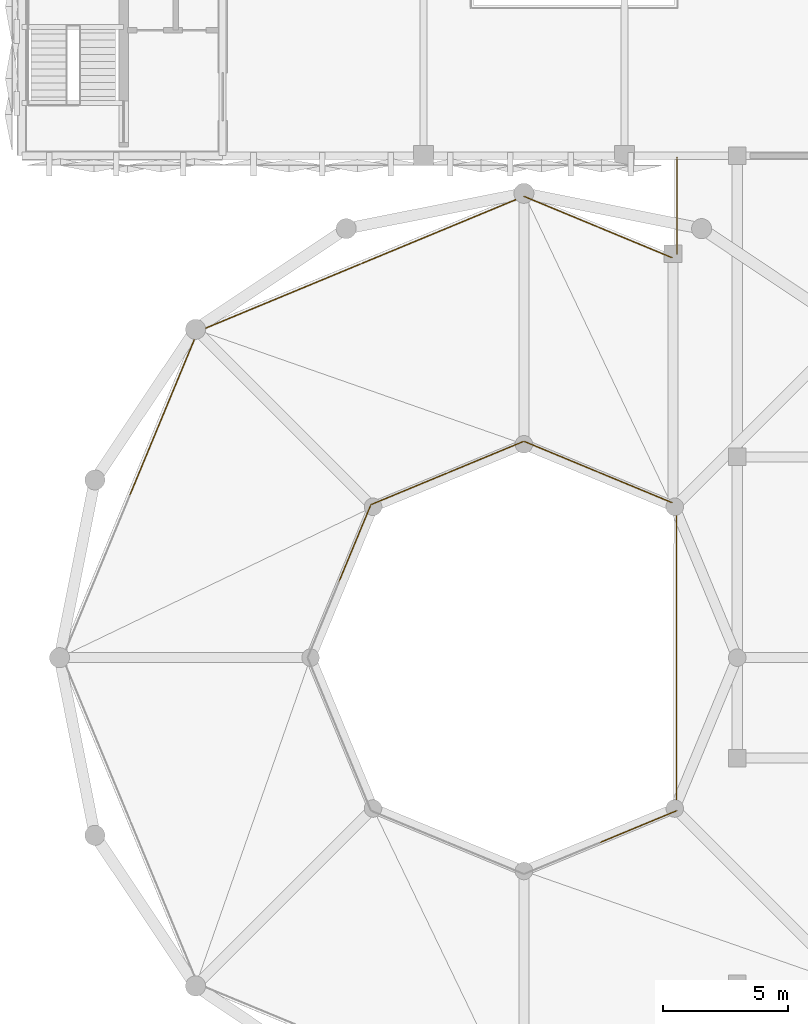
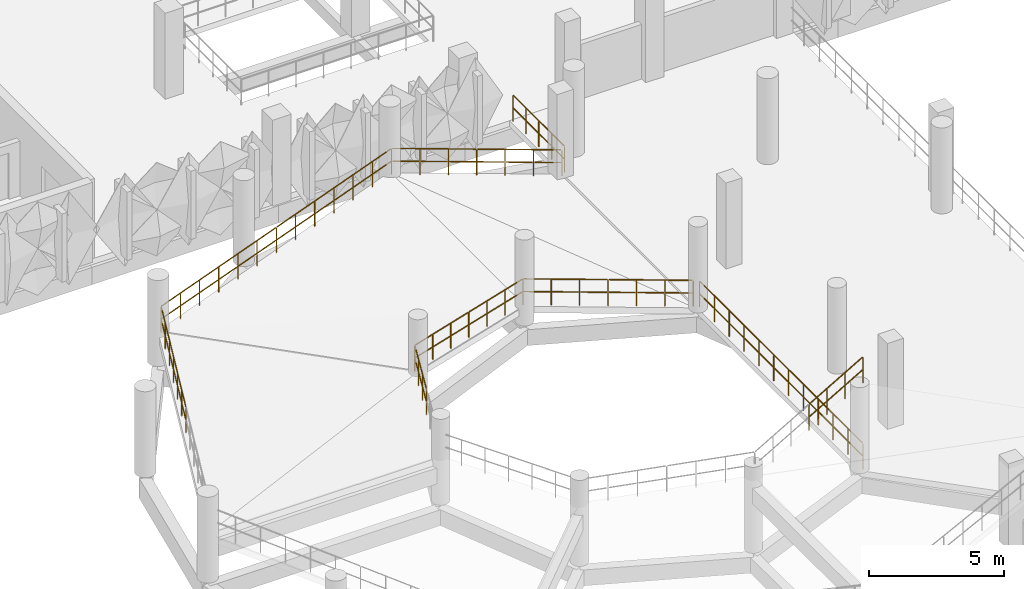
# One storey, part 83 of 96: 13 railings.
"""IFC4 building model written with IfcOpenShell, lengths in metres."""

import ifcopenshell
import ifcopenshell.guid

model = None  # the IFC model being written
_history = None  # IfcOwnerHistory: only IFC2X3 demands one
_inside = {}  # id of a spatial element -> (the spatial element, [elements in it])
_under = {}  # id of a project, library or spatial element -> (it, [spatial elements below it])
_declared = {}  # id of a project -> (the project, [libraries it declares])
_typed = {}  # id of a type object -> (the type object, [elements of that type])
_made_of = {}  # id of a material, layer set ... -> (it, [elements and type objects made of it])


def new_model(schema):
    """Start an empty IFC model of exactly this schema.

    Asked for "IFC4X3", IfcOpenShell would pick the latest addendum, in which some entities
    have other attributes; the version numbers below select the first issue.
    IFC2X3 requires an IfcOwnerHistory on every rooted entity: one is made here for all.
    """
    global model, _history
    if schema == "IFC4X3":
        model = ifcopenshell.file(schema_version=(4, 3, 0, 0))
    else:
        model = ifcopenshell.file(schema=schema)
    _inside.clear()
    _under.clear()
    _declared.clear()
    _typed.clear()
    _made_of.clear()
    _history = None
    if model.schema == "IFC2X3":
        org = make("IfcOrganization", Name="unknown")
        user = make(
            "IfcPersonAndOrganization",
            ThePerson=make("IfcPerson", FamilyName="unknown"),
            TheOrganization=org,
        )
        app = make(
            "IfcApplication",
            ApplicationDeveloper=org,
            Version="unknown",
            ApplicationFullName="unknown",
            ApplicationIdentifier="unknown",
        )
        _history = make(
            "IfcOwnerHistory",
            OwningUser=user,
            OwningApplication=app,
            ChangeAction="ADDED",
            CreationDate=0,
        )
    return model


def make(cls, **values):
    """One entity of the class cls with the attributes given. An attribute that is None is left unset."""
    return model.create_entity(
        cls, **{name: value for name, value in values.items() if value is not None}
    )


def rooted(cls, **values):
    """An entity with a GlobalId (a new one), such as an element, a storey or a relation."""
    return make(cls, GlobalId=ifcopenshell.guid.new(), OwnerHistory=_history, **values)


def si_unit(unit_type, name, prefix=None):
    """IfcSIUnit, for example si_unit("LENGTHUNIT", "METRE", prefix="MILLI")."""
    return make("IfcSIUnit", UnitType=unit_type, Prefix=prefix, Name=name)


def derived_unit(unit_type, elements):
    """IfcDerivedUnit: a product of units, each with its exponent."""
    return make(
        "IfcDerivedUnit",
        Elements=[
            make("IfcDerivedUnitElement", Unit=unit, Exponent=power)
            for unit, power in elements
        ],
        UnitType=unit_type,
    )


def assignment(units):
    """IfcUnitAssignment: the units of a project."""
    return None if units is None else make("IfcUnitAssignment", Units=units)


def point(xyz):
    """IfcCartesianPoint."""
    return None if xyz is None else make("IfcCartesianPoint", Coordinates=xyz)


def direction(xyz):
    """IfcDirection."""
    return None if xyz is None else make("IfcDirection", DirectionRatios=xyz)


def frame(location, z_axis=None, x_axis=None):
    """IfcAxis2Placement3D, a coordinate frame: its origin and axes. An axis left out is left unset."""
    return make(
        "IfcAxis2Placement3D",
        Location=point(location),
        Axis=direction(z_axis),
        RefDirection=direction(x_axis),
    )


def frame_2d(location, x_axis=None):
    """IfcAxis2Placement2D, a coordinate frame in the plane: its origin and x axis."""
    return make(
        "IfcAxis2Placement2D", Location=point(location), RefDirection=direction(x_axis)
    )


def origin():
    """The frame at (0, 0, 0) with its axes left unset."""
    return frame((0.0, 0.0, 0.0))


def origin_2d():
    """The frame at (0, 0) in the plane with its x axis left unset."""
    return frame_2d((0.0, 0.0))


def place(relative_to, where):
    """IfcLocalPlacement: puts the frame where relative to a parent placement (None: the world)."""
    return make(
        "IfcLocalPlacement", PlacementRelTo=relative_to, RelativePlacement=where
    )


def context(
    kind, dimensions, precision=None, world=None, true_north=None, identifier=None
):
    """IfcGeometricRepresentationContext, for example the 3D "Model" context."""
    return make(
        "IfcGeometricRepresentationContext",
        ContextIdentifier=identifier,
        ContextType=kind,
        CoordinateSpaceDimension=dimensions,
        Precision=precision,
        WorldCoordinateSystem=world,
        TrueNorth=true_north,
    )


def subcontext(parent, identifier, kind, view, scale=None):
    """IfcGeometricRepresentationSubContext, for example "Body" below "Model"."""
    return make(
        "IfcGeometricRepresentationSubContext",
        ContextIdentifier=identifier,
        ContextType=kind,
        ParentContext=parent,
        TargetScale=scale,
        TargetView=view,
    )


def project(units=None, contexts=None):
    """IfcProject with its units and contexts."""
    return rooted(
        "IfcProject",
        Name="project",
        RepresentationContexts=contexts,
        UnitsInContext=assignment(units),
    )


def spatial(cls, under=None, at=None, **own):
    """A site, building, storey or space (cls), placed at a placement, below another one or the project."""
    s = rooted(cls, ObjectPlacement=at, **own)
    if under is not None:
        _under.setdefault(under.id(), (under, []))[1].append(s)
    return s


def profile(cls, at=None, kind="AREA", **sizes):
    """A parametric profile (cls). Its sizes go by their IFC names, for example OverallWidth=200.0."""
    return make(cls, ProfileType=kind, Position=at, **sizes)


def circle(**sizes):
    """IfcCircleProfileDef."""
    return profile("IfcCircleProfileDef", **sizes)


def extrude(swept, where, along, depth):
    """IfcExtrudedAreaSolid: the profile swept, set in the frame where, extruded along a direction by depth."""
    return make(
        "IfcExtrudedAreaSolid",
        SweptArea=swept,
        Position=where,
        ExtrudedDirection=direction(along),
        Depth=depth,
    )


def shape(context_of_items, identifier, shape_type, items):
    """IfcShapeRepresentation: the items that make up one representation, for example the "Body"."""
    return make(
        "IfcShapeRepresentation",
        ContextOfItems=context_of_items,
        RepresentationIdentifier=identifier,
        RepresentationType=shape_type,
        Items=items,
    )


def material(Name=None, Category=None):
    """IfcMaterial."""
    return make("IfcMaterial", Name=Name, Category=Category)


def made_of(thing, what):
    """Note that an element or type object is made of a material, layer set ...; save() writes the relation."""
    if what is not None:
        _made_of.setdefault(what.id(), (what, []))[1].append(thing)
    return thing


def type_object(cls, material=None, **own):
    """A type object (cls), such as IfcWallType, which elements share."""
    return made_of(rooted(cls, **own), material)


def element(
    cls,
    number,
    at=None,
    inside=None,
    cuts=None,
    type_object=None,
    material=None,
    context=None,
    identifier="Body",
    shape_type=None,
    held_by="IfcProductDefinitionShape",
    body=None,
    shapes=None,
    **own,
):
    """One element of the class cls, such as IfcWall. Its Tag is "e" and its number.

    at: its placement. inside: the storey or other place that contains it. cuts: it is an
    opening in that element (IfcRelVoidsElement). A single representation is given by context,
    identifier, shape_type and body (its items); several are given by shapes. held_by: the class
    of the entity that holds the representations. save() writes the other relations.
    """
    e = rooted(cls, Tag="e%d" % number, ObjectPlacement=at, **own)
    if body is not None:
        shapes = [shape(context, identifier, shape_type, body)]
    if shapes is not None:
        e.Representation = make(held_by, Representations=shapes)
    if inside is not None:
        _inside.setdefault(inside.id(), (inside, []))[1].append(e)
    if cuts is not None:
        rooted(
            "IfcRelVoidsElement", RelatingBuildingElement=cuts, RelatedOpeningElement=e
        )
    if type_object is not None:
        _typed.setdefault(type_object.id(), (type_object, []))[1].append(e)
    return made_of(e, material)


def aggregate(whole, parts):
    """IfcRelAggregates: a whole, such as a stair, and the parts it consists of."""
    return rooted("IfcRelAggregates", RelatingObject=whole, RelatedObjects=parts)


def save(model, path):
    """Write the relations noted so far, then the file.

    IfcRelAggregates (storeys below a building ...), IfcRelContainedInSpatialStructure (elements
    in a storey), IfcRelDefinesByType, IfcRelAssociatesMaterial and IfcRelDeclares: one each for
    every whole, place, type object, material and project.
    """
    for whole, parts in _under.values():
        aggregate(whole, parts)
    for where, things in _inside.values():
        rooted(
            "IfcRelContainedInSpatialStructure",
            RelatedElements=things,
            RelatingStructure=where,
        )
    for kind, things in _typed.values():
        rooted("IfcRelDefinesByType", RelatedObjects=things, RelatingType=kind)
    for what, things in _made_of.values():
        rooted("IfcRelAssociatesMaterial", RelatedObjects=things, RelatingMaterial=what)
    for by, libraries in _declared.values():
        rooted("IfcRelDeclares", RelatingContext=by, RelatedDefinitions=libraries)
    model.write(path)


model = new_model("IFC4")

# Units and contexts
model_context = context("Model", 3, precision=1e-05, world=origin(), true_north=direction((0.0, 1.0)))
body_context = subcontext(model_context, "Body", "Model", "MODEL_VIEW")
ifc_project = project(units=[si_unit("LENGTHUNIT", "METRE"), si_unit("AREAUNIT", "SQUARE_METRE"), si_unit("VOLUMEUNIT", "CUBIC_METRE"), si_unit("PLANEANGLEUNIT", "RADIAN"), si_unit("MASSUNIT", "GRAM", prefix="KILO"), si_unit("THERMODYNAMICTEMPERATUREUNIT", "KELVIN"), derived_unit("THERMALTRANSMITTANCEUNIT", [(si_unit("POWERUNIT", "WATT"), 1), (si_unit("AREAUNIT", "SQUARE_METRE"), -1), (si_unit("THERMODYNAMICTEMPERATUREUNIT", "KELVIN"), -1)])], contexts=[model_context])

# Site, building, storey
site_placement = place(None, origin())
site = spatial("IfcSite", under=ifc_project, at=site_placement, CompositionType="ELEMENT")
building_placement = place(site_placement, origin())
building = spatial("IfcBuilding", under=site, at=building_placement, Name="Haiyu Intermodal Mobility Hub", CompositionType="ELEMENT")
storey_placement = place(building_placement, frame((0.0, 0.0, 9.5)))
storey = spatial("IfcBuildingStorey", under=building, at=storey_placement, Name="L02", CompositionType="ELEMENT", Elevation=9.5)

# Railings
ifc_material = material(Name="Steel Q355C", Category="steel")
railing_type = type_object("IfcRailingType", Name="RAL-GR01", PredefinedType="GUARDRAIL", material=ifc_material)
railing_1_placement = place(storey_placement, frame((40.080078125, 53.8798828125, 0.0)))
element("IfcRailing", 1, at=railing_1_placement, inside=storey, type_object=railing_type, Name="L02 Ramp Arrival Deck Inner Drum Guard", PredefinedType="GUARDRAIL", context=body_context, shape_type="SweptSolid", body=[
    extrude(circle(Radius=0.02392578125, at=origin_2d()), frame((0.0, 0.030029296875, 1.17578125), z_axis=(0.0, 1.0, 0.0), x_axis=(-1.0, 0.0, 0.0)), (0.0, 0.0, 1.0), 12.080078125),
    extrude(circle(Radius=0.02392578125, at=origin_2d()), frame((0.0, 0.037353515625, 0.60009765625), z_axis=(0.0, 1.0, 0.0), x_axis=(-1.0, 0.0, 0.0)), (0.0, 0.0, 1.0), 1.029052734375),
    extrude(circle(Radius=0.02392578125, at=origin_2d()), frame((0.0, 1.140869140625, 0.60009765625), z_axis=(0.0, 1.0, 0.0), x_axis=(-1.0, 0.0, 0.0)), (0.0, 0.0, 1.0), 1.029052734375),
    extrude(circle(Radius=0.02392578125, at=origin_2d()), frame((0.0, 2.24462890625, 0.60009765625), z_axis=(0.0, 1.0, 0.0), x_axis=(-1.0, 0.0, 0.0)), (0.0, 0.0, 1.0), 1.029052734375),
    extrude(circle(Radius=0.02392578125, at=origin_2d()), frame((0.0, 3.34814453125, 0.60009765625), z_axis=(0.0, 1.0, 0.0), x_axis=(-1.0, 0.0, 0.0)), (0.0, 0.0, 1.0), 1.029052734375),
    extrude(circle(Radius=0.02392578125, at=origin_2d()), frame((0.0, 4.451904296875, 0.60009765625), z_axis=(0.0, 1.0, 0.0), x_axis=(-1.0, 0.0, 0.0)), (0.0, 0.0, 1.0), 1.029052734375),
    extrude(circle(Radius=0.02392578125, at=origin_2d()), frame((0.0, 5.555419921875, 0.60009765625), z_axis=(0.0, 1.0, 0.0), x_axis=(-1.0, 0.0, 0.0)), (0.0, 0.0, 1.0), 1.029052734375),
    extrude(circle(Radius=0.02392578125, at=origin_2d()), frame((0.0, 6.6591796875, 0.60009765625), z_axis=(0.0, 1.0, 0.0), x_axis=(-1.0, 0.0, 0.0)), (0.0, 0.0, 1.0), 1.029052734375),
    extrude(circle(Radius=0.02392578125, at=origin_2d()), frame((0.0, 7.762939453125, 0.60009765625), z_axis=(0.0, 1.0, 0.0), x_axis=(-1.0, 0.0, 0.0)), (0.0, 0.0, 1.0), 1.029052734375),
    extrude(circle(Radius=0.02392578125, at=origin_2d()), frame((0.0, 8.866455078125, 0.60009765625), z_axis=(0.0, 1.0, 0.0), x_axis=(-1.0, 0.0, 0.0)), (0.0, 0.0, 1.0), 1.029052734375),
    extrude(circle(Radius=0.02392578125, at=origin_2d()), frame((0.0, 9.97021484375, 0.60009765625), z_axis=(0.0, 1.0, 0.0), x_axis=(-1.0, 0.0, 0.0)), (0.0, 0.0, 1.0), 1.029052734375),
    extrude(circle(Radius=0.02392578125, at=origin_2d()), frame((0.0, 11.07373046875, 0.60009765625), z_axis=(0.0, 1.0, 0.0), x_axis=(-1.0, 0.0, 0.0)), (0.0, 0.0, 1.0), 1.029052734375),
    extrude(circle(Radius=0.02099609375, at=origin_2d()), origin(), (0.0, 0.0, 1.0), 1.143798828125),
    extrude(circle(Radius=0.02099609375, at=origin_2d()), frame((0.0, 1.103759765625, 0.0)), (0.0, 0.0, 1.0), 1.143798828125),
    extrude(circle(Radius=0.02099609375, at=origin_2d()), frame((0.0, 2.207275390625, 0.0)), (0.0, 0.0, 1.0), 1.143798828125),
    extrude(circle(Radius=0.02099609375, at=origin_2d()), frame((0.0, 3.31103515625, 0.0)), (0.0, 0.0, 1.0), 1.143798828125),
    extrude(circle(Radius=0.02099609375, at=origin_2d()), frame((0.0, 4.41455078125, 0.0)), (0.0, 0.0, 1.0), 1.143798828125),
    extrude(circle(Radius=0.02099609375, at=origin_2d()), frame((0.0, 5.518310546875, 0.0)), (0.0, 0.0, 1.0), 1.143798828125),
    extrude(circle(Radius=0.02099609375, at=origin_2d()), frame((0.0, 6.621826171875, 0.0)), (0.0, 0.0, 1.0), 1.143798828125),
    extrude(circle(Radius=0.02099609375, at=origin_2d()), frame((0.0, 7.7255859375, 0.0)), (0.0, 0.0, 1.0), 1.143798828125),
    extrude(circle(Radius=0.02099609375, at=origin_2d()), frame((0.0, 8.8291015625, 0.0)), (0.0, 0.0, 1.0), 1.143798828125),
    extrude(circle(Radius=0.02099609375, at=origin_2d()), frame((0.0, 9.932861328125, 0.0)), (0.0, 0.0, 1.0), 1.143798828125),
    extrude(circle(Radius=0.02099609375, at=origin_2d()), frame((0.0, 11.036376953125, 0.0)), (0.0, 0.0, 1.0), 1.143798828125),
    extrude(circle(Radius=0.02099609375, at=origin_2d()), frame((0.0, 12.14013671875, 0.0)), (0.0, 0.0, 1.0), 1.143798828125),
])
railing_2_placement = place(storey_placement, frame((40.10009765625, 76.080078125, 0.0)))
element("IfcRailing", 2, at=railing_2_placement, inside=storey, type_object=railing_type, Name="L02 Ramp Arrival Deck North-West Guard", PredefinedType="GUARDRAIL", context=body_context, shape_type="SweptSolid", body=[
    extrude(circle(Radius=0.02392578125, at=origin_2d()), frame((0.0, 0.030029296875, 1.17578125), z_axis=(0.0, 1.0, 0.0), x_axis=(-1.0, 0.0, 0.0)), (0.0, 0.0, 1.0), 3.77978515625),
    extrude(circle(Radius=0.02392578125, at=origin_2d()), frame((0.0, 0.037353515625, 0.60009765625), z_axis=(0.0, 1.0, 0.0), x_axis=(-1.0, 0.0, 0.0)), (0.0, 0.0, 1.0), 0.88525390625),
    extrude(circle(Radius=0.02392578125, at=origin_2d()), frame((0.0, 0.997314453125, 0.60009765625), z_axis=(0.0, 1.0, 0.0), x_axis=(-1.0, 0.0, 0.0)), (0.0, 0.0, 1.0), 0.88525390625),
    extrude(circle(Radius=0.02392578125, at=origin_2d()), frame((0.0, 1.957275390625, 0.60009765625), z_axis=(0.0, 1.0, 0.0), x_axis=(-1.0, 0.0, 0.0)), (0.0, 0.0, 1.0), 0.88525390625),
    extrude(circle(Radius=0.02392578125, at=origin_2d()), frame((0.0, 2.917236328125, 0.60009765625), z_axis=(0.0, 1.0, 0.0), x_axis=(-1.0, 0.0, 0.0)), (0.0, 0.0, 1.0), 0.88525390625),
    extrude(circle(Radius=0.02099609375, at=origin_2d()), origin(), (0.0, 0.0, 1.0), 1.143798828125),
    extrude(circle(Radius=0.02099609375, at=origin_2d()), frame((0.0, 0.9599609375, 0.0)), (0.0, 0.0, 1.0), 1.143798828125),
    extrude(circle(Radius=0.02099609375, at=origin_2d()), frame((0.0, 1.919921875, 0.0)), (0.0, 0.0, 1.0), 1.143798828125),
    extrude(circle(Radius=0.02099609375, at=origin_2d()), frame((0.0, 2.8798828125, 0.0)), (0.0, 0.0, 1.0), 1.143798828125),
    extrude(circle(Radius=0.02099609375, at=origin_2d()), frame((0.0, 3.83984375, 0.0)), (0.0, 0.0, 1.0), 1.143798828125),
])
for number, where, name in (
    (3, (39.89990234375, 75.93603515625, 0.0), "RAL-VRMP-O-L02-01A"),
    (4, (36.949951171875, 77.157958984375, 0.324951171875), "RAL-VRMP-O-L02-01B"),
    (5, (39.89990234375, 66.176025390625, 0.0), "RAL-VRMP-I-L02-01A"),
):
    element("IfcRailing", number, at=place(storey_placement, frame(where)), inside=storey, type_object=railing_type, Name=name, PredefinedType="GUARDRAIL", context=body_context, shape_type="SweptSolid", body=[
        extrude(circle(Radius=0.02392578125, at=origin_2d()), frame((-0.027587890625, 0.011474609375, 1.178955078125), z_axis=(-0.91913050102, 0.380720694993, 0.101246602405), x_axis=(-0.382687186701, -0.923877977405, 0.0)), (0.0, 0.0, 1.0), 3.1494140625),
        extrude(circle(Radius=0.02392578125, at=origin_2d()), frame((-0.0341796875, 0.01416015625, 0.603759765625), z_axis=(-0.91913050102, 0.380720694993, 0.101246602405), x_axis=(-0.382687186701, -0.923877977405, 0.0)), (0.0, 0.0, 1.0), 0.995361328125),
        extrude(circle(Radius=0.02392578125, at=origin_2d()), frame((-1.017578125, 0.42138671875, 0.712158203125), z_axis=(-0.91913050102, 0.380720694993, 0.101246602405), x_axis=(-0.382687186701, -0.923877977405, 0.0)), (0.0, 0.0, 1.0), 0.995361328125),
        extrude(circle(Radius=0.02392578125, at=origin_2d()), frame((-2.0009765625, 0.828857421875, 0.8203125), z_axis=(-0.91913050102, 0.380720694993, 0.101246602405), x_axis=(-0.382687186701, -0.923877977405, 0.0)), (0.0, 0.0, 1.0), 0.995361328125),
        extrude(circle(Radius=0.02099609375, at=origin_2d()), origin(), (0.0, 0.0, 1.0), 1.143798828125),
        extrude(circle(Radius=0.02099609375, at=origin_2d()), frame((-0.9833984375, 0.4072265625, 0.1083984375)), (0.0, 0.0, 1.0), 1.143798828125),
        extrude(circle(Radius=0.02099609375, at=origin_2d()), frame((-1.966552734375, 0.814697265625, 0.216552734375)), (0.0, 0.0, 1.0), 1.143798828125),
        extrude(circle(Radius=0.02099609375, at=origin_2d()), frame((-2.949951171875, 1.221923828125, 0.324951171875)), (0.0, 0.0, 1.0), 1.143798828125),
    ])
railing_3_placement = place(storey_placement, frame((36.949951171875, 67.39794921875, 0.324951171875)))
element("IfcRailing", 6, at=railing_3_placement, inside=storey, type_object=railing_type, Name="RAL-VRMP-I-L02-01B", PredefinedType="GUARDRAIL", context=body_context, shape_type="SweptSolid", body=[
    extrude(circle(Radius=0.02392578125, at=origin_2d()), frame((-0.027587890625, 0.011474609375, 1.178955078125), z_axis=(-0.919103880865, 0.380785734305, 0.101243670068), x_axis=(-0.382752447143, -0.923850942634, 0.0)), (0.0, 0.0, 1.0), 3.149658203125),
    extrude(circle(Radius=0.02392578125, at=origin_2d()), frame((-0.0341796875, 0.01416015625, 0.603759765625), z_axis=(-0.919103880865, 0.380785734305, 0.101243670068), x_axis=(-0.382752447143, -0.923850942634, 0.0)), (0.0, 0.0, 1.0), 0.995361328125),
    extrude(circle(Radius=0.02392578125, at=origin_2d()), frame((-1.017578125, 0.421630859375, 0.712158203125), z_axis=(-0.919103880865, 0.380785734305, 0.101243670068), x_axis=(-0.382752447143, -0.923850942634, 0.0)), (0.0, 0.0, 1.0), 0.995361328125),
    extrude(circle(Radius=0.02392578125, at=origin_2d()), frame((-2.0009765625, 0.8291015625, 0.8203125), z_axis=(-0.919103880865, 0.380785734305, 0.101243670068), x_axis=(-0.382752447143, -0.923850942634, 0.0)), (0.0, 0.0, 1.0), 0.995361328125),
    extrude(circle(Radius=0.02099609375, at=origin_2d()), origin(), (0.0, 0.0, 1.0), 1.143798828125),
    extrude(circle(Radius=0.02099609375, at=origin_2d()), frame((-0.9833984375, 0.407470703125, 0.1083984375)), (0.0, 0.0, 1.0), 1.143798828125),
    extrude(circle(Radius=0.02099609375, at=origin_2d()), frame((-1.966552734375, 0.814697265625, 0.216552734375)), (0.0, 0.0, 1.0), 1.143798828125),
    extrude(circle(Radius=0.02099609375, at=origin_2d()), frame((-2.949951171875, 1.22216796875, 0.324951171875)), (0.0, 0.0, 1.0), 1.143798828125),
])
railing_4_placement = place(storey_placement, frame((34.0, 78.3798828125, 0.64990234375)))
element("IfcRailing", 7, at=railing_4_placement, inside=storey, type_object=railing_type, Name="RAL-VRMP-O-L02-02A", PredefinedType="GUARDRAIL", context=body_context, shape_type="SweptSolid", body=[
    extrude(circle(Radius=0.02392578125, at=origin_2d()), frame((-0.027587890625, -0.011474609375, 1.17724609375), z_axis=(-0.922877805314, -0.382313295814, 0.046185498823), x_axis=(0.382721705618, -0.923863678282, 0.0)), (0.0, 0.0, 1.0), 6.98095703125),
    extrude(circle(Radius=0.02392578125, at=origin_2d()), frame((-0.034423828125, -0.01416015625, 0.601806640625), z_axis=(-0.922877805314, -0.382313295814, 0.046185498823), x_axis=(0.382721705618, -0.923863678282, 0.0)), (0.0, 0.0, 1.0), 1.098876953125),
    extrude(circle(Radius=0.02392578125, at=origin_2d()), frame((-1.117431640625, -0.462890625, 0.656005859375), z_axis=(-0.922877805314, -0.382313295814, 0.046185498823), x_axis=(0.382721705618, -0.923863678282, 0.0)), (0.0, 0.0, 1.0), 1.098876953125),
    extrude(circle(Radius=0.02392578125, at=origin_2d()), frame((-2.200439453125, -0.91162109375, 0.710205078125), z_axis=(-0.922877805314, -0.382313295814, 0.046185498823), x_axis=(0.382721705618, -0.923863678282, 0.0)), (0.0, 0.0, 1.0), 1.098876953125),
    extrude(circle(Radius=0.02392578125, at=origin_2d()), frame((-3.283447265625, -1.360107421875, 0.764404296875), z_axis=(-0.922877805314, -0.382313295814, 0.046185498823), x_axis=(0.382721705618, -0.923863678282, 0.0)), (0.0, 0.0, 1.0), 1.098876953125),
    extrude(circle(Radius=0.02392578125, at=origin_2d()), frame((-4.366455078125, -1.808837890625, 0.818603515625), z_axis=(-0.922877805314, -0.382313295814, 0.046185498823), x_axis=(0.382721705618, -0.923863678282, 0.0)), (0.0, 0.0, 1.0), 1.098876953125),
    extrude(circle(Radius=0.02392578125, at=origin_2d()), frame((-5.449462890625, -2.257568359375, 0.872802734375), z_axis=(-0.922877805314, -0.382313295814, 0.046185498823), x_axis=(0.382721705618, -0.923863678282, 0.0)), (0.0, 0.0, 1.0), 1.098876953125),
    extrude(circle(Radius=0.02099609375, at=origin_2d()), origin(), (0.0, 0.0, 1.0), 1.143798828125),
    extrude(circle(Radius=0.02099609375, at=origin_2d()), frame((-1.0830078125, -0.44873046875, 0.05419921875)), (0.0, 0.0, 1.0), 1.143798828125),
    extrude(circle(Radius=0.02099609375, at=origin_2d()), frame((-2.166015625, -0.897216796875, 0.1083984375)), (0.0, 0.0, 1.0), 1.143798828125),
    extrude(circle(Radius=0.02099609375, at=origin_2d()), frame((-3.2490234375, -1.345947265625, 0.16259765625)), (0.0, 0.0, 1.0), 1.143798828125),
    extrude(circle(Radius=0.02099609375, at=origin_2d()), frame((-4.33203125, -1.794677734375, 0.216796875)), (0.0, 0.0, 1.0), 1.143798828125),
    extrude(circle(Radius=0.02099609375, at=origin_2d()), frame((-5.4150390625, -2.2431640625, 0.27099609375)), (0.0, 0.0, 1.0), 1.143798828125),
    extrude(circle(Radius=0.02099609375, at=origin_2d()), frame((-6.498046875, -2.69189453125, 0.3251953125)), (0.0, 0.0, 1.0), 1.143798828125),
])
railing_5_placement = place(storey_placement, frame((27.501953125, 75.68798828125, 0.97509765625)))
element("IfcRailing", 8, at=railing_5_placement, inside=storey, type_object=railing_type, Name="RAL-VRMP-O-L02-02B", PredefinedType="GUARDRAIL", context=body_context, shape_type="SweptSolid", body=[
    extrude(circle(Radius=0.02392578125, at=origin_2d()), frame((-0.027587890625, -0.011474609375, 1.17724609375), z_axis=(-0.922879282684, -0.382313907833, 0.046150898905), x_axis=(0.382721705618, -0.923863678282, 0.0)), (0.0, 0.0, 1.0), 6.98095703125),
    extrude(circle(Radius=0.02392578125, at=origin_2d()), frame((-0.034423828125, -0.01416015625, 0.601806640625), z_axis=(-0.922879282684, -0.382313907833, 0.046150898905), x_axis=(0.382721705618, -0.923863678282, 0.0)), (0.0, 0.0, 1.0), 1.098876953125),
    extrude(circle(Radius=0.02392578125, at=origin_2d()), frame((-1.117431640625, -0.462890625, 0.65576171875), z_axis=(-0.922879282684, -0.382313907833, 0.046150898905), x_axis=(0.382721705618, -0.923863678282, 0.0)), (0.0, 0.0, 1.0), 1.098876953125),
    extrude(circle(Radius=0.02392578125, at=origin_2d()), frame((-2.200439453125, -0.91162109375, 0.7099609375), z_axis=(-0.922879282684, -0.382313907833, 0.046150898905), x_axis=(0.382721705618, -0.923863678282, 0.0)), (0.0, 0.0, 1.0), 1.098876953125),
    extrude(circle(Radius=0.02392578125, at=origin_2d()), frame((-3.283447265625, -1.360107421875, 0.76416015625), z_axis=(-0.922879282684, -0.382313907833, 0.046150898905), x_axis=(0.382721705618, -0.923863678282, 0.0)), (0.0, 0.0, 1.0), 1.098876953125),
    extrude(circle(Radius=0.02392578125, at=origin_2d()), frame((-4.366455078125, -1.808837890625, 0.818359375), z_axis=(-0.922879282684, -0.382313907833, 0.046150898905), x_axis=(0.382721705618, -0.923863678282, 0.0)), (0.0, 0.0, 1.0), 1.098876953125),
    extrude(circle(Radius=0.02392578125, at=origin_2d()), frame((-5.449462890625, -2.257568359375, 0.87255859375), z_axis=(-0.922879282684, -0.382313907833, 0.046150898905), x_axis=(0.382721705618, -0.923863678282, 0.0)), (0.0, 0.0, 1.0), 1.098876953125),
    extrude(circle(Radius=0.02099609375, at=origin_2d()), origin(), (0.0, 0.0, 1.0), 1.143798828125),
    extrude(circle(Radius=0.02099609375, at=origin_2d()), frame((-1.0830078125, -0.44873046875, 0.05419921875)), (0.0, 0.0, 1.0), 1.143798828125),
    extrude(circle(Radius=0.02099609375, at=origin_2d()), frame((-2.166015625, -0.897216796875, 0.1083984375)), (0.0, 0.0, 1.0), 1.143798828125),
    extrude(circle(Radius=0.02099609375, at=origin_2d()), frame((-3.2490234375, -1.345947265625, 0.16259765625)), (0.0, 0.0, 1.0), 1.143798828125),
    extrude(circle(Radius=0.02099609375, at=origin_2d()), frame((-4.33203125, -1.794677734375, 0.216552734375)), (0.0, 0.0, 1.0), 1.143798828125),
    extrude(circle(Radius=0.02099609375, at=origin_2d()), frame((-5.4150390625, -2.2431640625, 0.270751953125)), (0.0, 0.0, 1.0), 1.143798828125),
    extrude(circle(Radius=0.02099609375, at=origin_2d()), frame((-6.498046875, -2.69189453125, 0.324951171875)), (0.0, 0.0, 1.0), 1.143798828125),
])
railing_6_placement = place(storey_placement, frame((34.0, 68.6201171875, 0.64990234375)))
element("IfcRailing", 9, at=railing_6_placement, inside=storey, type_object=railing_type, Name="RAL-VRMP-I-L02-02A", PredefinedType="GUARDRAIL", context=body_context, shape_type="SweptSolid", body=[
    extrude(circle(Radius=0.02392578125, at=origin_2d()), frame((-0.027587890625, -0.011474609375, 1.178955078125), z_axis=(-0.919461577814, -0.380746204029, 0.09809554038), x_axis=(0.382591441855, -0.923917630863, 0.0)), (0.0, 0.0, 1.0), 3.255126953125),
    extrude(circle(Radius=0.02392578125, at=origin_2d()), frame((-0.0341796875, -0.01416015625, 0.603515625), z_axis=(-0.919461577814, -0.380746204029, 0.09809554038), x_axis=(0.382591441855, -0.923917630863, 0.0)), (0.0, 0.0, 1.0), 1.030517578125),
    extrude(circle(Radius=0.02392578125, at=origin_2d()), frame((-1.05029296875, -0.434814453125, 0.7119140625), z_axis=(-0.919461577814, -0.380746204029, 0.09809554038), x_axis=(0.382591441855, -0.923917630863, 0.0)), (0.0, 0.0, 1.0), 1.030517578125),
    extrude(circle(Radius=0.02392578125, at=origin_2d()), frame((-2.06640625, -0.855712890625, 0.8203125), z_axis=(-0.919461577814, -0.380746204029, 0.09809554038), x_axis=(0.382591441855, -0.923917630863, 0.0)), (0.0, 0.0, 1.0), 1.030517578125),
    extrude(circle(Radius=0.02099609375, at=origin_2d()), origin(), (0.0, 0.0, 1.0), 1.143798828125),
    extrude(circle(Radius=0.02099609375, at=origin_2d()), frame((-1.01611328125, -0.420654296875, 0.1083984375)), (0.0, 0.0, 1.0), 1.143798828125),
    extrude(circle(Radius=0.02099609375, at=origin_2d()), frame((-2.031982421875, -0.841552734375, 0.216796875)), (0.0, 0.0, 1.0), 1.143798828125),
    extrude(circle(Radius=0.02099609375, at=origin_2d()), frame((-3.048095703125, -1.26220703125, 0.3251953125)), (0.0, 0.0, 1.0), 1.143798828125),
])
railing_7_placement = place(storey_placement, frame((30.951904296875, 67.35791015625, 0.97509765625)))
element("IfcRailing", 10, at=railing_7_placement, inside=storey, type_object=railing_type, Name="RAL-VRMP-I-L02-02B", PredefinedType="GUARDRAIL", context=body_context, shape_type="SweptSolid", body=[
    extrude(circle(Radius=0.02392578125, at=origin_2d()), frame((-0.027587890625, -0.011474609375, 1.178955078125), z_axis=(-0.919333861182, -0.381066832043, 0.098047545612), x_axis=(0.382911803909, -0.923784904849, 0.0)), (0.0, 0.0, 1.0), 3.254150390625),
    extrude(circle(Radius=0.02392578125, at=origin_2d()), frame((-0.0341796875, -0.01416015625, 0.603515625), z_axis=(-0.919333861182, -0.381066832043, 0.098047545612), x_axis=(0.382911803909, -0.923784904849, 0.0)), (0.0, 0.0, 1.0), 1.030029296875),
    extrude(circle(Radius=0.02392578125, at=origin_2d()), frame((-1.0498046875, -0.435302734375, 0.7119140625), z_axis=(-0.919333861182, -0.381066832043, 0.098047545612), x_axis=(0.382911803909, -0.923784904849, 0.0)), (0.0, 0.0, 1.0), 1.030029296875),
    extrude(circle(Radius=0.02392578125, at=origin_2d()), frame((-2.0654296875, -0.856201171875, 0.8203125), z_axis=(-0.919333861182, -0.381066832043, 0.098047545612), x_axis=(0.382911803909, -0.923784904849, 0.0)), (0.0, 0.0, 1.0), 1.030029296875),
    extrude(circle(Radius=0.02099609375, at=origin_2d()), origin(), (0.0, 0.0, 1.0), 1.143798828125),
    extrude(circle(Radius=0.02099609375, at=origin_2d()), frame((-1.015625, -0.4208984375, 0.1083984375)), (0.0, 0.0, 1.0), 1.143798828125),
    extrude(circle(Radius=0.02099609375, at=origin_2d()), frame((-2.03125, -0.842041015625, 0.216552734375)), (0.0, 0.0, 1.0), 1.143798828125),
    extrude(circle(Radius=0.02099609375, at=origin_2d()), frame((-3.046875, -1.262939453125, 0.324951171875)), (0.0, 0.0, 1.0), 1.143798828125),
])
railing_8_placement = place(storey_placement, frame((21.00390625, 72.99609375, 1.300048828125)))
element("IfcRailing", 11, at=railing_8_placement, inside=storey, type_object=railing_type, Name="RAL-VRMP-O-L02-03A", PredefinedType="GUARDRAIL", context=body_context, shape_type="SweptSolid", body=[
    extrude(circle(Radius=0.02392578125, at=origin_2d()), frame((-0.011474609375, -0.027587890625, 1.17724609375), z_axis=(-0.382313907833, -0.922879282684, 0.046150898905), x_axis=(0.923863678282, -0.382721705618, 0.0)), (0.0, 0.0, 1.0), 6.98095703125),
    extrude(circle(Radius=0.02392578125, at=origin_2d()), frame((-0.01416015625, -0.034423828125, 0.601806640625), z_axis=(-0.382313907833, -0.922879282684, 0.046150898905), x_axis=(0.923863678282, -0.382721705618, 0.0)), (0.0, 0.0, 1.0), 1.098876953125),
    extrude(circle(Radius=0.02392578125, at=origin_2d()), frame((-0.462890625, -1.117431640625, 0.65576171875), z_axis=(-0.382313907833, -0.922879282684, 0.046150898905), x_axis=(0.923863678282, -0.382721705618, 0.0)), (0.0, 0.0, 1.0), 1.098876953125),
    extrude(circle(Radius=0.02392578125, at=origin_2d()), frame((-0.91162109375, -2.200439453125, 0.7099609375), z_axis=(-0.382313907833, -0.922879282684, 0.046150898905), x_axis=(0.923863678282, -0.382721705618, 0.0)), (0.0, 0.0, 1.0), 1.098876953125),
    extrude(circle(Radius=0.02392578125, at=origin_2d()), frame((-1.360107421875, -3.283447265625, 0.76416015625), z_axis=(-0.382313907833, -0.922879282684, 0.046150898905), x_axis=(0.923863678282, -0.382721705618, 0.0)), (0.0, 0.0, 1.0), 1.098876953125),
    extrude(circle(Radius=0.02392578125, at=origin_2d()), frame((-1.808837890625, -4.366455078125, 0.818359375), z_axis=(-0.382313907833, -0.922879282684, 0.046150898905), x_axis=(0.923863678282, -0.382721705618, 0.0)), (0.0, 0.0, 1.0), 1.098876953125),
    extrude(circle(Radius=0.02392578125, at=origin_2d()), frame((-2.257568359375, -5.449462890625, 0.87255859375), z_axis=(-0.382313907833, -0.922879282684, 0.046150898905), x_axis=(0.923863678282, -0.382721705618, 0.0)), (0.0, 0.0, 1.0), 1.098876953125),
    extrude(circle(Radius=0.02099609375, at=origin_2d()), origin(), (0.0, 0.0, 1.0), 1.143798828125),
    extrude(circle(Radius=0.02099609375, at=origin_2d()), frame((-0.44873046875, -1.0830078125, 0.05419921875)), (0.0, 0.0, 1.0), 1.143798828125),
    extrude(circle(Radius=0.02099609375, at=origin_2d()), frame((-0.897216796875, -2.166015625, 0.1083984375)), (0.0, 0.0, 1.0), 1.143798828125),
    extrude(circle(Radius=0.02099609375, at=origin_2d()), frame((-1.345947265625, -3.2490234375, 0.16259765625)), (0.0, 0.0, 1.0), 1.143798828125),
    extrude(circle(Radius=0.02099609375, at=origin_2d()), frame((-1.794677734375, -4.33203125, 0.216552734375)), (0.0, 0.0, 1.0), 1.143798828125),
    extrude(circle(Radius=0.02099609375, at=origin_2d()), frame((-2.2431640625, -5.4150390625, 0.270751953125)), (0.0, 0.0, 1.0), 1.143798828125),
    extrude(circle(Radius=0.02099609375, at=origin_2d()), frame((-2.69189453125, -6.498046875, 0.324951171875)), (0.0, 0.0, 1.0), 1.143798828125),
])
railing_9_placement = place(storey_placement, frame((27.905029296875, 66.094970703125, 1.300048828125)))
element("IfcRailing", 12, at=railing_9_placement, inside=storey, type_object=railing_type, Name="RAL-VRMP-I-L02-03A", PredefinedType="GUARDRAIL", context=body_context, shape_type="SweptSolid", body=[
    extrude(circle(Radius=0.02392578125, at=origin_2d()), frame((-0.011474609375, -0.027587890625, 1.178955078125), z_axis=(-0.381066832043, -0.919333861182, 0.098047545612), x_axis=(0.923784904849, -0.382911803909, 0.0)), (0.0, 0.0, 1.0), 3.254150390625),
    extrude(circle(Radius=0.02392578125, at=origin_2d()), frame((-0.01416015625, -0.0341796875, 0.603515625), z_axis=(-0.381066832043, -0.919333861182, 0.098047545612), x_axis=(0.923784904849, -0.382911803909, 0.0)), (0.0, 0.0, 1.0), 1.030029296875),
    extrude(circle(Radius=0.02392578125, at=origin_2d()), frame((-0.435302734375, -1.0498046875, 0.7119140625), z_axis=(-0.381066832043, -0.919333861182, 0.098047545612), x_axis=(0.923784904849, -0.382911803909, 0.0)), (0.0, 0.0, 1.0), 1.030029296875),
    extrude(circle(Radius=0.02392578125, at=origin_2d()), frame((-0.856201171875, -2.0654296875, 0.8203125), z_axis=(-0.381066832043, -0.919333861182, 0.098047545612), x_axis=(0.923784904849, -0.382911803909, 0.0)), (0.0, 0.0, 1.0), 1.030029296875),
    extrude(circle(Radius=0.02099609375, at=origin_2d()), origin(), (0.0, 0.0, 1.0), 1.143798828125),
    extrude(circle(Radius=0.02099609375, at=origin_2d()), frame((-0.4208984375, -1.015625, 0.1083984375)), (0.0, 0.0, 1.0), 1.143798828125),
    extrude(circle(Radius=0.02099609375, at=origin_2d()), frame((-0.842041015625, -2.03125, 0.216552734375)), (0.0, 0.0, 1.0), 1.143798828125),
    extrude(circle(Radius=0.02099609375, at=origin_2d()), frame((-1.262939453125, -3.046875, 0.324951171875)), (0.0, 0.0, 1.0), 1.143798828125),
])
railing_10_placement = place(storey_placement, frame((37.048095703125, 52.64208984375, 3.574951171875)))
element("IfcRailing", 13, at=railing_10_placement, inside=storey, type_object=railing_type, Name="RAL-VRMP-I-L02-06B", PredefinedType="GUARDRAIL", context=body_context, shape_type="SweptSolid", body=[
    extrude(circle(Radius=0.02392578125, at=origin_2d()), frame((0.027587890625, 0.011474609375, 1.178955078125), z_axis=(0.919333861182, 0.381066832043, 0.098047545612), x_axis=(-0.382911803909, 0.923784904849, 0.0)), (0.0, 0.0, 1.0), 3.254150390625),
    extrude(circle(Radius=0.02392578125, at=origin_2d()), frame((0.0341796875, 0.01416015625, 0.603515625), z_axis=(0.919333861182, 0.381066832043, 0.098047545612), x_axis=(-0.382911803909, 0.923784904849, 0.0)), (0.0, 0.0, 1.0), 1.030029296875),
    extrude(circle(Radius=0.02392578125, at=origin_2d()), frame((1.0498046875, 0.435302734375, 0.7119140625), z_axis=(0.919333861182, 0.381066832043, 0.098047545612), x_axis=(-0.382911803909, 0.923784904849, 0.0)), (0.0, 0.0, 1.0), 1.030029296875),
    extrude(circle(Radius=0.02392578125, at=origin_2d()), frame((2.0654296875, 0.856201171875, 0.8203125), z_axis=(0.919333861182, 0.381066832043, 0.098047545612), x_axis=(-0.382911803909, 0.923784904849, 0.0)), (0.0, 0.0, 1.0), 1.030029296875),
    extrude(circle(Radius=0.02099609375, at=origin_2d()), origin(), (0.0, 0.0, 1.0), 1.143798828125),
    extrude(circle(Radius=0.02099609375, at=origin_2d()), frame((1.015625, 0.4208984375, 0.1083984375)), (0.0, 0.0, 1.0), 1.143798828125),
    extrude(circle(Radius=0.02099609375, at=origin_2d()), frame((2.03125, 0.842041015625, 0.216552734375)), (0.0, 0.0, 1.0), 1.143798828125),
    extrude(circle(Radius=0.02099609375, at=origin_2d()), frame((3.046875, 1.262939453125, 0.324951171875)), (0.0, 0.0, 1.0), 1.143798828125),
])

save(model, "model.ifc")
